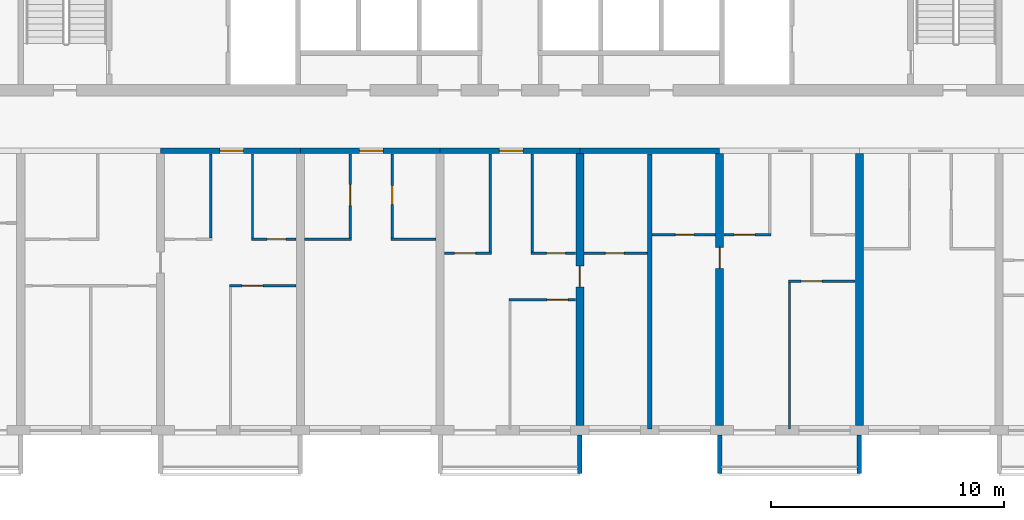
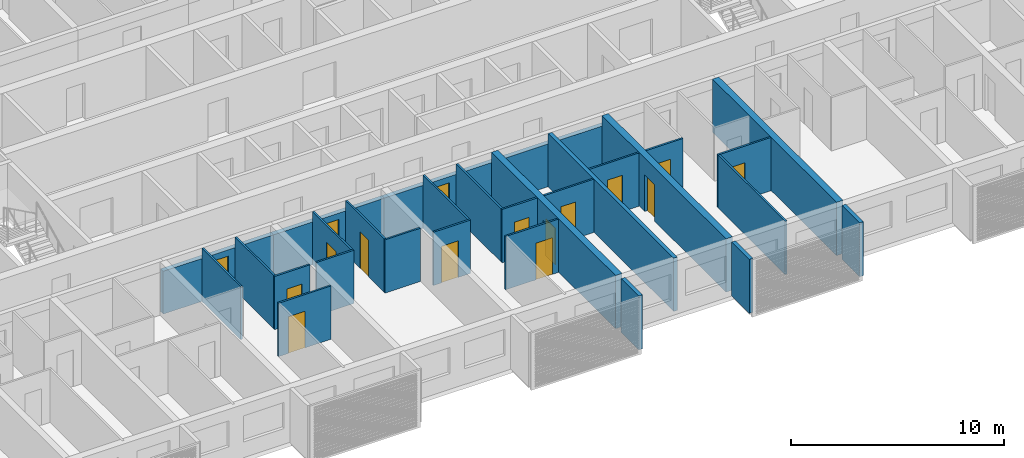
# One storey, part 6 of 28: 29 walls, 16 doors, 16 openings.
"""IFC4 building model written with IfcOpenShell, lengths in metres."""

from ifc_helpers import new_model, si_unit, direction, frame, frame_2d, origin, place, context, subcontext, project, spatial, polyline, rectangle, outline, extrude, source, transform, mapped, material, layer, layer_set, type_object, element, fill, save


model = new_model("IFC4")

# Units and contexts
model_context = context("Model", 3, precision=1e-05, world=origin(), true_north=direction((0.0, 1.0)))
body_context = subcontext(model_context, "Body", "Model", "MODEL_VIEW")
ifc_project = project(units=[si_unit("LENGTHUNIT", "METRE"), si_unit("AREAUNIT", "SQUARE_METRE"), si_unit("VOLUMEUNIT", "CUBIC_METRE"), si_unit("PLANEANGLEUNIT", "RADIAN"), si_unit("MASSUNIT", "GRAM", prefix="KILO")], contexts=[model_context])

# Site, building, storey
site_placement = place(None, origin())
site = spatial("IfcSite", under=ifc_project, at=site_placement, CompositionType="ELEMENT")
building_placement = place(site_placement, origin())
building = spatial("IfcBuilding", under=site, at=building_placement, Name="Poui Terraces", CompositionType="ELEMENT")
storey_placement = place(building_placement, frame((0.0, 0.0, 72.89990234375)))
storey = spatial("IfcBuildingStorey", under=building, at=storey_placement, Name="L19", CompositionType="ELEMENT", Elevation=72.89990234375)

# Wall, opening, door
ifc_material_1 = material(Name="Concrete 65 MPa", Category="concrete")
ifc_layer_1 = layer(ifc_material_1, 0.25)
ifc_layer_set_1 = layer_set([ifc_layer_1], Name="Concrete 65 MPa")
wall_type_1 = type_object("IfcWallType", Name="CORRIDOR WALL 250 65MPa", PredefinedType="SHEAR", material=ifc_layer_set_1)
wall_1_placement = place(storey_placement, frame((36.0, 12.0, 0.0), z_axis=(0.0, 0.0, 1.0), x_axis=(1.0, 0.0, 0.0)))
wall_1 = element("IfcWall", 1, at=wall_1_placement, inside=storey, type_object=wall_type_1, Name="CORRIDOR WALL LINE B BAY 6", PredefinedType="SHEAR", context=body_context, shape_type="SweptSolid", body=[
    extrude(rectangle(XDim=6.0, YDim=0.25, at=frame_2d((3.0, 0.0))), origin(), (0.0, 0.0, 1.0), 2.460205078125),
])
opening_1_placement = place(wall_1_placement, frame((2.550048828125, 0.0, 0.0)))
opening_1 = element("IfcOpeningElement", 2, at=opening_1_placement, cuts=wall_1, Name="Opening FD30S", PredefinedType="OPENING", context=body_context, shape_type="SweptSolid", body=[
    extrude(rectangle(XDim=1.0, YDim=2.10009765625, at=frame_2d((0.5, 1.050048828125))), frame((0.0, 0.135009765625, 0.0), z_axis=(0.0, -1.0, 0.0), x_axis=(1.0, 0.0, 0.0)), (0.0, 0.0, 1.0), 0.27001953125),
])
ifc_material_2 = material(Name="Steel fire door", Category="steel")
door_type_1 = type_object("IfcDoorType", Name="FLAT ENTRANCE DOOR 1000 X 2100", OperationType="NOTDEFINED", PredefinedType="DOOR", material=ifc_material_2)
door_1_placement = place(opening_1_placement, frame((1.0, 0.0, 0.0), z_axis=(0.0, 0.0, 1.0), x_axis=(-1.0, 0.0, 0.0)))
door_1 = element("IfcDoor", 3, at=door_1_placement, inside=storey, type_object=door_type_1, Name="FLAT ENTRANCE DOOR 101", OperationType="SINGLE_SWING_LEFT", OverallHeight=2.10009765625, OverallWidth=1.0, PredefinedType="DOOR", context=body_context, shape_type="SweptSolid", body=[
    extrude(rectangle(XDim=1.0, YDim=2.10009765625, at=frame_2d((0.5, 1.050048828125))), frame((0.0, 0.02490234375, 0.0), z_axis=(0.0, -1.0, 0.0), x_axis=(1.0, 0.0, 0.0)), (0.0, 0.0, 1.0), 0.050048828125),
])
fill(opening_1, door_1)

wall_2_placement = place(storey_placement, frame((42.0, 12.0, 0.0), z_axis=(0.0, 0.0, 1.0), x_axis=(1.0, 0.0, 0.0)))
wall_2 = element("IfcWall", 4, at=wall_2_placement, inside=storey, type_object=wall_type_1, Name="CORRIDOR WALL LINE B BAY 7", PredefinedType="SHEAR", context=body_context, shape_type="SweptSolid", body=[
    extrude(rectangle(XDim=6.0, YDim=0.25, at=frame_2d((3.0, 0.0))), origin(), (0.0, 0.0, 1.0), 2.460205078125),
])
opening_2_placement = place(wall_2_placement, frame((2.550048828125, 0.0, 0.0)))
opening_2 = element("IfcOpeningElement", 5, at=opening_2_placement, cuts=wall_2, Name="Opening FD30S", PredefinedType="OPENING", context=body_context, shape_type="SweptSolid", body=[
    extrude(rectangle(XDim=1.0, YDim=2.10009765625, at=frame_2d((0.5, 1.050048828125))), frame((0.0, 0.135009765625, 0.0), z_axis=(0.0, -1.0, 0.0), x_axis=(1.0, 0.0, 0.0)), (0.0, 0.0, 1.0), 0.27001953125),
])
door_2_placement = place(opening_2_placement, frame((1.0, 0.0, 0.0), z_axis=(0.0, 0.0, 1.0), x_axis=(-1.0, 0.0, 0.0)))
door_2 = element("IfcDoor", 6, at=door_2_placement, inside=storey, type_object=door_type_1, Name="FLAT ENTRANCE DOOR 105", OperationType="SINGLE_SWING_LEFT", OverallHeight=2.10009765625, OverallWidth=1.0, PredefinedType="DOOR", context=body_context, shape_type="SweptSolid", body=[
    extrude(rectangle(XDim=1.0, YDim=2.10009765625, at=frame_2d((0.5, 1.050048828125))), frame((0.0, 0.02490234375, 0.0), z_axis=(0.0, -1.0, 0.0), x_axis=(1.0, 0.0, 0.0)), (0.0, 0.0, 1.0), 0.050048828125),
])
fill(opening_2, door_2)

wall_3_placement = place(storey_placement, frame((48.0, 12.0, 0.0), z_axis=(0.0, 0.0, 1.0), x_axis=(1.0, 0.0, 0.0)))
wall_3 = element("IfcWall", 7, at=wall_3_placement, inside=storey, type_object=wall_type_1, Name="CORRIDOR WALL LINE B BAY 8", PredefinedType="SHEAR", context=body_context, shape_type="SweptSolid", body=[
    extrude(rectangle(XDim=6.0, YDim=0.25, at=frame_2d((3.0, 0.0))), origin(), (0.0, 0.0, 1.0), 2.460205078125),
])
opening_3_placement = place(wall_3_placement, frame((2.550048828125, 0.0, 0.0)))
opening_3 = element("IfcOpeningElement", 8, at=opening_3_placement, cuts=wall_3, Name="Opening FD30S", PredefinedType="OPENING", context=body_context, shape_type="SweptSolid", body=[
    extrude(rectangle(XDim=1.0, YDim=2.10009765625, at=frame_2d((0.5, 1.050048828125))), frame((0.0, 0.135009765625, 0.0), z_axis=(0.0, -1.0, 0.0), x_axis=(1.0, 0.0, 0.0)), (0.0, 0.0, 1.0), 0.27001953125),
])
door_3_placement = place(opening_3_placement, frame((1.0, 0.0, 0.0), z_axis=(0.0, 0.0, 1.0), x_axis=(-1.0, 0.0, 0.0)))
door_3 = element("IfcDoor", 9, at=door_3_placement, inside=storey, type_object=door_type_1, Name="FLAT ENTRANCE DOOR 109", OperationType="SINGLE_SWING_LEFT", OverallHeight=2.10009765625, OverallWidth=1.0, PredefinedType="DOOR", context=body_context, shape_type="SweptSolid", body=[
    extrude(rectangle(XDim=1.0, YDim=2.10009765625, at=frame_2d((0.5, 1.050048828125))), frame((0.0, 0.02490234375, 0.0), z_axis=(0.0, -1.0, 0.0), x_axis=(1.0, 0.0, 0.0)), (0.0, 0.0, 1.0), 0.050048828125),
])
fill(opening_3, door_3)

# Wall
wall_4_placement = place(storey_placement, frame((54.0, 12.0, 0.0), z_axis=(0.0, 0.0, 1.0), x_axis=(1.0, 0.0, 0.0)))
element("IfcWall", 10, at=wall_4_placement, inside=storey, type_object=wall_type_1, Name="CORRIDOR WALL LINE B BAY 9", PredefinedType="SHEAR", context=body_context, shape_type="SweptSolid", body=[
    extrude(rectangle(XDim=6.0, YDim=0.25, at=frame_2d((3.0, 0.0))), origin(), (0.0, 0.0, 1.0), 2.460205078125),
])

# Wall, opening, door
ifc_layer_2 = layer(ifc_material_1, 0.35009765625)
ifc_layer_set_2 = layer_set([ifc_layer_2], Name="Concrete 65 MPa")
wall_type_2 = type_object("IfcWallType", Name="CROSS WALL 350 65MPa", PredefinedType="SHEAR", material=ifc_layer_set_2)
wall_5_placement = place(storey_placement, frame((54.0, 0.199951171875, 0.0), z_axis=(0.0, 0.0, 1.0), x_axis=(0.0, 1.0, 0.0)))
wall_5 = element("IfcWall", 11, at=wall_5_placement, inside=storey, type_object=wall_type_2, Name="CROSS WALL LINE 10 SOUTH", PredefinedType="SHEAR", context=body_context, shape_type="SweptSolid", body=[
    extrude(rectangle(XDim=11.675048828125, YDim=0.35009765625, at=frame_2d((5.83740234375, 0.0))), origin(), (0.0, 0.0, 1.0), 3.06005859375),
])
opening_4_placement = place(wall_5_placement, frame((5.949951171875, 0.0, 0.0)))
opening_4 = element("IfcOpeningElement", 12, at=opening_4_placement, cuts=wall_5, Name="Opening D90", PredefinedType="OPENING", context=body_context, shape_type="SweptSolid", body=[
    extrude(rectangle(XDim=0.89990234375, YDim=2.10009765625, at=frame_2d((0.449951171875, 1.050048828125))), frame((0.0, 0.18505859375, 0.0), z_axis=(0.0, -1.0, 0.0), x_axis=(1.0, 0.0, 0.0)), (0.0, 0.0, 1.0), 0.3701171875),
])
ifc_material_3 = material(Name="Solid core timber door", Category="wood")
door_type_2 = type_object("IfcDoorType", Name="INTERNAL DOOR 900 X 2100", OperationType="NOTDEFINED", PredefinedType="DOOR", material=ifc_material_3)
door_4_placement = place(opening_4_placement, frame((0.89990234375, 0.0, 0.0), z_axis=(0.0, 0.0, 1.0), x_axis=(-1.0, 0.0, 0.0)))
door_4 = element("IfcDoor", 13, at=door_4_placement, inside=storey, type_object=door_type_2, Name="INTERNAL DOOR 112", OperationType="SINGLE_SWING_LEFT", OverallHeight=2.10009765625, OverallWidth=0.89990234375, PredefinedType="DOOR", context=body_context, shape_type="SweptSolid", body=[
    extrude(rectangle(XDim=0.89990234375, YDim=2.10009765625, at=frame_2d((0.449951171875, 1.050048828125))), frame((0.0, 0.02490234375, 0.0), z_axis=(0.0, -1.0, 0.0), x_axis=(1.0, 0.0, 0.0)), (0.0, 0.0, 1.0), 0.050048828125),
])
fill(opening_4, door_4)

wall_6_placement = place(storey_placement, frame((60.0, 0.199951171875, 0.0), z_axis=(0.0, 0.0, 1.0), x_axis=(0.0, 1.0, 0.0)))
wall_6 = element("IfcWall", 14, at=wall_6_placement, inside=storey, type_object=wall_type_2, Name="CROSS WALL LINE 11 SOUTH", PredefinedType="SHEAR", context=body_context, shape_type="SweptSolid", body=[
    extrude(rectangle(XDim=11.675048828125, YDim=0.35009765625, at=frame_2d((5.83740234375, 0.0))), origin(), (0.0, 0.0, 1.0), 3.06005859375),
])
opening_5_placement = place(wall_6_placement, frame((6.75, 0.0, 0.0)))
opening_5 = element("IfcOpeningElement", 15, at=opening_5_placement, cuts=wall_6, Name="Opening D90", PredefinedType="OPENING", context=body_context, shape_type="SweptSolid", body=[
    extrude(rectangle(XDim=0.89990234375, YDim=2.10009765625, at=frame_2d((0.449951171875, 1.050048828125))), frame((0.0, 0.18505859375, 0.0), z_axis=(0.0, -1.0, 0.0), x_axis=(1.0, 0.0, 0.0)), (0.0, 0.0, 1.0), 0.3701171875),
])
door_5_placement = place(opening_5_placement, origin())
door_5 = element("IfcDoor", 16, at=door_5_placement, inside=storey, type_object=door_type_2, Name="INTERNAL DOOR 114", OperationType="SINGLE_SWING_RIGHT", OverallHeight=2.10009765625, OverallWidth=0.89990234375, PredefinedType="DOOR", context=body_context, shape_type="SweptSolid", body=[
    extrude(rectangle(XDim=0.89990234375, YDim=2.10009765625, at=frame_2d((0.449951171875, 1.050048828125))), frame((0.0, 0.02490234375, 0.0), z_axis=(0.0, -1.0, 0.0), x_axis=(1.0, 0.0, 0.0)), (0.0, 0.0, 1.0), 0.050048828125),
])
fill(opening_5, door_5)

# Wall
wall_7_placement = place(storey_placement, frame((66.0, 0.199951171875, 0.0), z_axis=(0.0, 0.0, 1.0), x_axis=(0.0, 1.0, 0.0)))
element("IfcWall", 17, at=wall_7_placement, inside=storey, type_object=wall_type_2, Name="CROSS WALL LINE 12 SOUTH", PredefinedType="SHEAR", context=body_context, shape_type="SweptSolid", body=[
    extrude(rectangle(XDim=11.675048828125, YDim=0.35009765625, at=frame_2d((5.83740234375, 0.0))), origin(), (0.0, 0.0, 1.0), 3.06005859375),
])

# Wall, opening, door
ifc_material_4 = material(Name="Plasterboard partition")
ifc_layer_3 = layer(ifc_material_4, 0.10009765625)
ifc_layer_set_3 = layer_set([ifc_layer_3], Name="Plasterboard partition")
wall_type_3 = type_object("IfcWallType", Name="FLAT PARTITION 100", PredefinedType="PARTITIONING", material=ifc_layer_set_3)
wall_8_placement = place(storey_placement, frame((50.949951171875, 5.60009765625, 0.0), z_axis=(0.0, 0.0, 1.0), x_axis=(1.0, 0.0, 0.0)))
wall_8 = element("IfcWall", 18, at=wall_8_placement, inside=storey, type_object=wall_type_3, Name="FLAT PARTITION 100", PredefinedType="PARTITIONING", context=body_context, shape_type="SweptSolid", body=[
    extrude(rectangle(XDim=2.864990234375, YDim=0.10009765625, at=frame_2d((1.4326171875, 0.0))), origin(), (0.0, 0.0, 1.0), 3.06005859375),
])
opening_6_placement = place(wall_8_placement, frame((1.64990234375, 0.0, 0.0)))
opening_6 = element("IfcOpeningElement", 19, at=opening_6_placement, cuts=wall_8, Name="Opening D90", PredefinedType="OPENING", context=body_context, shape_type="SweptSolid", body=[
    extrude(rectangle(XDim=0.89990234375, YDim=2.10009765625, at=frame_2d((0.449951171875, 1.050048828125))), frame((0.0, 0.06005859375, 0.0), z_axis=(0.0, -1.0, 0.0), x_axis=(1.0, 0.0, 0.0)), (0.0, 0.0, 1.0), 0.1201171875),
])
door_6_placement = place(opening_6_placement, origin())
door_6 = element("IfcDoor", 20, at=door_6_placement, inside=storey, type_object=door_type_2, Name="INTERNAL DOOR 111", OperationType="SINGLE_SWING_LEFT", OverallHeight=2.10009765625, OverallWidth=0.89990234375, PredefinedType="DOOR", context=body_context, shape_type="SweptSolid", body=[
    extrude(rectangle(XDim=0.89990234375, YDim=2.10009765625, at=frame_2d((0.449951171875, 1.050048828125))), frame((0.0, 0.02490234375, 0.0), z_axis=(0.0, -1.0, 0.0), x_axis=(1.0, 0.0, 0.0)), (0.0, 0.0, 1.0), 0.050048828125),
])
fill(opening_6, door_6)

wall_9_placement = place(storey_placement, frame((38.949951171875, 6.199951171875, 0.0), z_axis=(0.0, 0.0, 1.0), x_axis=(1.0, 0.0, 0.0)))
wall_9 = element("IfcWall", 21, at=wall_9_placement, inside=storey, type_object=wall_type_3, Name="FLAT PARTITION 100", PredefinedType="PARTITIONING", context=body_context, shape_type="SweptSolid", body=[
    extrude(rectangle(XDim=2.864990234375, YDim=0.10009765625, at=frame_2d((1.4326171875, 0.0))), origin(), (0.0, 0.0, 1.0), 3.06005859375),
])
opening_7_placement = place(wall_9_placement, frame((0.550048828125, 0.0, 0.0)))
opening_7 = element("IfcOpeningElement", 22, at=opening_7_placement, cuts=wall_9, Name="Opening D90", PredefinedType="OPENING", context=body_context, shape_type="SweptSolid", body=[
    extrude(rectangle(XDim=0.89990234375, YDim=2.10009765625, at=frame_2d((0.449951171875, 1.050048828125))), frame((0.0, 0.06005859375, 0.0), z_axis=(0.0, -1.0, 0.0), x_axis=(1.0, 0.0, 0.0)), (0.0, 0.0, 1.0), 0.1201171875),
])
door_7_placement = place(opening_7_placement, origin())
door_7 = element("IfcDoor", 23, at=door_7_placement, inside=storey, type_object=door_type_2, Name="INTERNAL DOOR 102", OperationType="SINGLE_SWING_RIGHT", OverallHeight=2.10009765625, OverallWidth=0.89990234375, PredefinedType="DOOR", context=body_context, shape_type="SweptSolid", body=[
    extrude(rectangle(XDim=0.89990234375, YDim=2.10009765625, at=frame_2d((0.449951171875, 1.050048828125))), frame((0.0, 0.02490234375, 0.0), z_axis=(0.0, -1.0, 0.0), x_axis=(1.0, 0.0, 0.0)), (0.0, 0.0, 1.0), 0.050048828125),
])
fill(opening_7, door_7)

wall_10_placement = place(storey_placement, frame((62.949951171875, 6.39990234375, 0.0), z_axis=(0.0, 0.0, 1.0), x_axis=(1.0, 0.0, 0.0)))
wall_10 = element("IfcWall", 24, at=wall_10_placement, inside=storey, type_object=wall_type_3, Name="FLAT PARTITION 100", PredefinedType="PARTITIONING", context=body_context, shape_type="SweptSolid", body=[
    extrude(rectangle(XDim=2.864990234375, YDim=0.10009765625, at=frame_2d((1.4326171875, 0.0))), origin(), (0.0, 0.0, 1.0), 3.06005859375),
])
opening_8_placement = place(wall_10_placement, frame((0.550048828125, 0.0, 0.0)))
opening_8 = element("IfcOpeningElement", 25, at=opening_8_placement, cuts=wall_10, Name="Opening D90", PredefinedType="OPENING", context=body_context, shape_type="SweptSolid", body=[
    extrude(rectangle(XDim=0.89990234375, YDim=2.10009765625, at=frame_2d((0.449951171875, 1.050048828125))), frame((0.0, 0.06005859375, 0.0), z_axis=(0.0, -1.0, 0.0), x_axis=(1.0, 0.0, 0.0)), (0.0, 0.0, 1.0), 0.1201171875),
])
door_8_placement = place(opening_8_placement, origin())
door_8 = element("IfcDoor", 26, at=door_8_placement, inside=storey, type_object=door_type_2, Name="INTERNAL DOOR 117", OperationType="SINGLE_SWING_RIGHT", OverallHeight=2.10009765625, OverallWidth=0.89990234375, PredefinedType="DOOR", context=body_context, shape_type="SweptSolid", body=[
    extrude(rectangle(XDim=0.89990234375, YDim=2.10009765625, at=frame_2d((0.449951171875, 1.050048828125))), frame((0.0, 0.02490234375, 0.0), z_axis=(0.0, -1.0, 0.0), x_axis=(1.0, 0.0, 0.0)), (0.0, 0.0, 1.0), 0.050048828125),
])
fill(opening_8, door_8)

wall_11_placement = place(storey_placement, frame((48.18505859375, 7.60009765625, 0.0), z_axis=(0.0, 0.0, 1.0), x_axis=(1.0, 0.0, 0.0)))
wall_11 = element("IfcWall", 27, at=wall_11_placement, inside=storey, type_object=wall_type_3, Name="FLAT PARTITION 100", PredefinedType="PARTITIONING", context=body_context, shape_type="SweptSolid", body=[
    extrude(rectangle(XDim=2.014892578125, YDim=0.10009765625, at=frame_2d((1.00732421875, 0.0))), origin(), (0.0, 0.0, 1.0), 3.06005859375),
])
opening_9_placement = place(wall_11_placement, frame((0.43994140625, 0.0, 0.0)))
opening_9 = element("IfcOpeningElement", 28, at=opening_9_placement, cuts=wall_11, Name="Opening D90", PredefinedType="OPENING", context=body_context, shape_type="SweptSolid", body=[
    extrude(rectangle(XDim=0.89990234375, YDim=2.10009765625, at=frame_2d((0.449951171875, 1.050048828125))), frame((0.0, 0.06005859375, 0.0), z_axis=(0.0, -1.0, 0.0), x_axis=(1.0, 0.0, 0.0)), (0.0, 0.0, 1.0), 0.1201171875),
])
door_9_placement = place(opening_9_placement, origin())
door_9 = element("IfcDoor", 29, at=door_9_placement, inside=storey, type_object=door_type_2, Name="INTERNAL DOOR 108", OperationType="SINGLE_SWING_LEFT", OverallHeight=2.10009765625, OverallWidth=0.89990234375, PredefinedType="DOOR", context=body_context, shape_type="SweptSolid", body=[
    extrude(rectangle(XDim=0.89990234375, YDim=2.10009765625, at=frame_2d((0.449951171875, 1.050048828125))), frame((0.0, 0.02490234375, 0.0), z_axis=(0.0, -1.0, 0.0), x_axis=(1.0, 0.0, 0.0)), (0.0, 0.0, 1.0), 0.050048828125),
])
fill(opening_9, door_9)

wall_12_placement = place(storey_placement, frame((51.89990234375, 7.60009765625, 0.0), z_axis=(0.0, 0.0, 1.0), x_axis=(1.0, 0.0, 0.0)))
wall_12 = element("IfcWall", 30, at=wall_12_placement, inside=storey, type_object=wall_type_3, Name="FLAT PARTITION 100", PredefinedType="PARTITIONING", context=body_context, shape_type="SweptSolid", body=[
    extrude(rectangle(XDim=1.9150390625, YDim=0.10009765625, at=frame_2d((0.95751953125, 0.0))), origin(), (0.0, 0.0, 1.0), 3.06005859375),
])
opening_10_placement = place(wall_12_placement, frame((0.675048828125, 0.0, 0.0)))
opening_10 = element("IfcOpeningElement", 31, at=opening_10_placement, cuts=wall_12, Name="Opening D80", PredefinedType="OPENING", context=body_context, shape_type="SweptSolid", body=[
    extrude(rectangle(XDim=0.800048828125, YDim=2.10009765625, at=frame_2d((0.39990234375, 1.050048828125))), frame((0.0, 0.06005859375, 0.0), z_axis=(0.0, -1.0, 0.0), x_axis=(1.0, 0.0, 0.0)), (0.0, 0.0, 1.0), 0.1201171875),
])
door_type_3 = type_object("IfcDoorType", Name="BATHROOM, LAUNDRY AND STORE DOOR 800 X 2100", OperationType="NOTDEFINED", PredefinedType="DOOR", material=ifc_material_3)
door_10_placement = place(opening_10_placement, origin())
door_10 = element("IfcDoor", 32, at=door_10_placement, inside=storey, type_object=door_type_3, Name="BATHROOM, LAUNDRY AND STORE DOOR 110", OperationType="SINGLE_SWING_RIGHT", OverallHeight=2.10009765625, OverallWidth=0.800048828125, PredefinedType="DOOR", context=body_context, shape_type="SweptSolid", body=[
    extrude(rectangle(XDim=0.800048828125, YDim=2.10009765625, at=frame_2d((0.39990234375, 1.050048828125))), frame((0.0, 0.02490234375, 0.0), z_axis=(0.0, -1.0, 0.0), x_axis=(1.0, 0.0, 0.0)), (0.0, 0.0, 1.0), 0.050048828125),
])
fill(opening_10, door_10)

wall_13_placement = place(storey_placement, frame((54.18505859375, 7.60009765625, 0.0), z_axis=(0.0, 0.0, 1.0), x_axis=(1.0, 0.0, 0.0)))
wall_13 = element("IfcWall", 33, at=wall_13_placement, inside=storey, type_object=wall_type_3, Name="FLAT PARTITION 100", PredefinedType="PARTITIONING", context=body_context, shape_type="SweptSolid", body=[
    extrude(rectangle(XDim=2.71484375, YDim=0.10009765625, at=frame_2d((1.357421875, 0.0))), origin(), (0.0, 0.0, 1.0), 3.06005859375),
])
opening_11_placement = place(wall_13_placement, frame((0.9150390625, 0.0, 0.0)))
opening_11 = element("IfcOpeningElement", 34, at=opening_11_placement, cuts=wall_13, Name="Opening D80", PredefinedType="OPENING", context=body_context, shape_type="SweptSolid", body=[
    extrude(rectangle(XDim=0.800048828125, YDim=2.10009765625, at=frame_2d((0.39990234375, 1.050048828125))), frame((0.0, 0.06005859375, 0.0), z_axis=(0.0, -1.0, 0.0), x_axis=(1.0, 0.0, 0.0)), (0.0, 0.0, 1.0), 0.1201171875),
])
door_11_placement = place(opening_11_placement, origin())
door_11 = element("IfcDoor", 35, at=door_11_placement, inside=storey, type_object=door_type_3, Name="BATHROOM, LAUNDRY AND STORE DOOR 107", OperationType="SINGLE_SWING_LEFT", OverallHeight=2.10009765625, OverallWidth=0.800048828125, PredefinedType="DOOR", context=body_context, shape_type="SweptSolid", body=[
    extrude(rectangle(XDim=0.800048828125, YDim=2.10009765625, at=frame_2d((0.39990234375, 1.050048828125))), frame((0.0, 0.02490234375, 0.0), z_axis=(0.0, -1.0, 0.0), x_axis=(1.0, 0.0, 0.0)), (0.0, 0.0, 1.0), 0.050048828125),
])
fill(opening_11, door_11)

wall_14_placement = place(storey_placement, frame((39.89990234375, 8.199951171875, 0.0), z_axis=(0.0, 0.0, 1.0), x_axis=(1.0, 0.0, 0.0)))
wall_14 = element("IfcWall", 36, at=wall_14_placement, inside=storey, type_object=wall_type_3, Name="FLAT PARTITION 100", PredefinedType="PARTITIONING", context=body_context, shape_type="SweptSolid", body=[
    extrude(rectangle(XDim=1.9150390625, YDim=0.10009765625, at=frame_2d((0.95751953125, 0.0))), origin(), (0.0, 0.0, 1.0), 3.06005859375),
])
opening_12_placement = place(wall_14_placement, frame((0.675048828125, 0.0, 0.0)))
opening_12 = element("IfcOpeningElement", 37, at=opening_12_placement, cuts=wall_14, Name="Opening D80", PredefinedType="OPENING", context=body_context, shape_type="SweptSolid", body=[
    extrude(rectangle(XDim=0.800048828125, YDim=2.10009765625, at=frame_2d((0.39990234375, 1.050048828125))), frame((0.0, 0.06005859375, 0.0), z_axis=(0.0, -1.0, 0.0), x_axis=(1.0, 0.0, 0.0)), (0.0, 0.0, 1.0), 0.1201171875),
])
door_12_placement = place(opening_12_placement, origin())
door_12 = element("IfcDoor", 38, at=door_12_placement, inside=storey, type_object=door_type_3, Name="BATHROOM, LAUNDRY AND STORE DOOR 103", OperationType="SINGLE_SWING_LEFT", OverallHeight=2.10009765625, OverallWidth=0.800048828125, PredefinedType="DOOR", context=body_context, shape_type="SweptSolid", body=[
    extrude(rectangle(XDim=0.800048828125, YDim=2.10009765625, at=frame_2d((0.39990234375, 1.050048828125))), frame((0.0, 0.02490234375, 0.0), z_axis=(0.0, -1.0, 0.0), x_axis=(1.0, 0.0, 0.0)), (0.0, 0.0, 1.0), 0.050048828125),
])
fill(opening_12, door_12)

# Walls
wall_15_placement = place(storey_placement, frame((42.18505859375, 8.199951171875, 0.0), z_axis=(0.0, 0.0, 1.0), x_axis=(1.0, 0.0, 0.0)))
element("IfcWall", 39, at=wall_15_placement, inside=storey, type_object=wall_type_3, Name="FLAT PARTITION 100", PredefinedType="PARTITIONING", context=body_context, shape_type="SweptSolid", body=[
    extrude(rectangle(XDim=2.014892578125, YDim=0.10009765625, at=frame_2d((1.00732421875, 0.0))), origin(), (0.0, 0.0, 1.0), 3.06005859375),
])
wall_16_placement = place(storey_placement, frame((45.89990234375, 8.199951171875, 0.0), z_axis=(0.0, 0.0, 1.0), x_axis=(1.0, 0.0, 0.0)))
element("IfcWall", 40, at=wall_16_placement, inside=storey, type_object=wall_type_3, Name="FLAT PARTITION 100", PredefinedType="PARTITIONING", context=body_context, shape_type="SweptSolid", body=[
    extrude(rectangle(XDim=1.9150390625, YDim=0.10009765625, at=frame_2d((0.95751953125, 0.0))), origin(), (0.0, 0.0, 1.0), 3.06005859375),
])

# Wall, opening, door
wall_17_placement = place(storey_placement, frame((57.10009765625, 8.39990234375, 0.0), z_axis=(0.0, 0.0, 1.0), x_axis=(1.0, 0.0, 0.0)))
wall_17 = element("IfcWall", 41, at=wall_17_placement, inside=storey, type_object=wall_type_3, Name="FLAT PARTITION 100", PredefinedType="PARTITIONING", context=body_context, shape_type="SweptSolid", body=[
    extrude(rectangle(XDim=2.71484375, YDim=0.10009765625, at=frame_2d((1.357421875, 0.0))), origin(), (0.0, 0.0, 1.0), 3.06005859375),
])
opening_13_placement = place(wall_17_placement, frame((1.0, 0.0, 0.0)))
opening_13 = element("IfcOpeningElement", 42, at=opening_13_placement, cuts=wall_17, Name="Opening D80", PredefinedType="OPENING", context=body_context, shape_type="SweptSolid", body=[
    extrude(rectangle(XDim=0.800048828125, YDim=2.10009765625, at=frame_2d((0.39990234375, 1.050048828125))), frame((0.0, 0.06005859375, 0.0), z_axis=(0.0, -1.0, 0.0), x_axis=(1.0, 0.0, 0.0)), (0.0, 0.0, 1.0), 0.1201171875),
])
door_13_placement = place(opening_13_placement, origin())
door_13 = element("IfcDoor", 43, at=door_13_placement, inside=storey, type_object=door_type_3, Name="BATHROOM, LAUNDRY AND STORE DOOR 113", OperationType="SINGLE_SWING_RIGHT", OverallHeight=2.10009765625, OverallWidth=0.800048828125, PredefinedType="DOOR", context=body_context, shape_type="SweptSolid", body=[
    extrude(rectangle(XDim=0.800048828125, YDim=2.10009765625, at=frame_2d((0.39990234375, 1.050048828125))), frame((0.0, 0.02490234375, 0.0), z_axis=(0.0, -1.0, 0.0), x_axis=(1.0, 0.0, 0.0)), (0.0, 0.0, 1.0), 0.050048828125),
])
fill(opening_13, door_13)

wall_18_placement = place(storey_placement, frame((60.18505859375, 8.39990234375, 0.0), z_axis=(0.0, 0.0, 1.0), x_axis=(1.0, 0.0, 0.0)))
wall_18 = element("IfcWall", 44, at=wall_18_placement, inside=storey, type_object=wall_type_3, Name="FLAT PARTITION 100", PredefinedType="PARTITIONING", context=body_context, shape_type="SweptSolid", body=[
    extrude(rectangle(XDim=2.014892578125, YDim=0.10009765625, at=frame_2d((1.00732421875, 0.0))), origin(), (0.0, 0.0, 1.0), 3.06005859375),
])
opening_14_placement = place(wall_18_placement, frame((0.43994140625, 0.0, 0.0)))
opening_14 = element("IfcOpeningElement", 45, at=opening_14_placement, cuts=wall_18, Name="Opening D90", PredefinedType="OPENING", context=body_context, shape_type="SweptSolid", body=[
    extrude(rectangle(XDim=0.89990234375, YDim=2.10009765625, at=frame_2d((0.449951171875, 1.050048828125))), frame((0.0, 0.06005859375, 0.0), z_axis=(0.0, -1.0, 0.0), x_axis=(1.0, 0.0, 0.0)), (0.0, 0.0, 1.0), 0.1201171875),
])
door_14_placement = place(opening_14_placement, origin())
door_14 = element("IfcDoor", 46, at=door_14_placement, inside=storey, type_object=door_type_2, Name="INTERNAL DOOR 115", OperationType="SINGLE_SWING_RIGHT", OverallHeight=2.10009765625, OverallWidth=0.89990234375, PredefinedType="DOOR", context=body_context, shape_type="SweptSolid", body=[
    extrude(rectangle(XDim=0.89990234375, YDim=2.10009765625, at=frame_2d((0.449951171875, 1.050048828125))), frame((0.0, 0.02490234375, 0.0), z_axis=(0.0, -1.0, 0.0), x_axis=(1.0, 0.0, 0.0)), (0.0, 0.0, 1.0), 0.050048828125),
])
fill(opening_14, door_14)

# Walls
for number, where, z_axis, x_axis, name in (
    (47, (38.14990234375, 8.25, 0.0), (0.0, 0.0, 1.0), (0.0, 1.0, 0.0), "FLAT PARTITION 100"),
    (48, (39.949951171875, 8.25, 0.0), (0.0, 0.0, 1.0), (0.0, 1.0, 0.0), "FLAT PARTITION 100"),
):
    element("IfcWall", number, at=place(storey_placement, frame(where, z_axis=z_axis, x_axis=x_axis)), inside=storey, type_object=wall_type_3, Name=name, PredefinedType="PARTITIONING", context=body_context, shape_type="SweptSolid", body=[
        extrude(rectangle(XDim=3.614990234375, YDim=0.10009765625, at=frame_2d((1.8076171875, 0.0))), origin(), (0.0, 0.0, 1.0), 3.06005859375),
    ])

# Wall, opening, door
wall_19_placement = place(storey_placement, frame((44.14990234375, 8.25, 0.0), z_axis=(0.0, 0.0, 1.0), x_axis=(0.0, 1.0, 0.0)))
wall_19 = element("IfcWall", 49, at=wall_19_placement, inside=storey, type_object=wall_type_3, Name="FLAT PARTITION 100", PredefinedType="PARTITIONING", context=body_context, shape_type="SweptSolid", body=[
    extrude(rectangle(XDim=3.614990234375, YDim=0.10009765625, at=frame_2d((1.8076171875, 0.0))), origin(), (0.0, 0.0, 1.0), 3.06005859375),
])
opening_15_placement = place(wall_19_placement, frame((1.39990234375, 0.0, 0.0)))
opening_15 = element("IfcOpeningElement", 50, at=opening_15_placement, cuts=wall_19, Name="Opening D90", PredefinedType="OPENING", context=body_context, shape_type="SweptSolid", body=[
    extrude(rectangle(XDim=0.89990234375, YDim=2.10009765625, at=frame_2d((0.449951171875, 1.050048828125))), frame((0.0, 0.06005859375, 0.0), z_axis=(0.0, -1.0, 0.0), x_axis=(1.0, 0.0, 0.0)), (0.0, 0.0, 1.0), 0.1201171875),
])
door_15_placement = place(opening_15_placement, origin())
door_15 = element("IfcDoor", 51, at=door_15_placement, inside=storey, type_object=door_type_2, Name="INTERNAL DOOR 104", OperationType="SINGLE_SWING_LEFT", OverallHeight=2.10009765625, OverallWidth=0.89990234375, PredefinedType="DOOR", context=body_context, shape_type="SweptSolid", body=[
    extrude(rectangle(XDim=0.89990234375, YDim=2.10009765625, at=frame_2d((0.449951171875, 1.050048828125))), frame((0.0, 0.02490234375, 0.0), z_axis=(0.0, -1.0, 0.0), x_axis=(1.0, 0.0, 0.0)), (0.0, 0.0, 1.0), 0.050048828125),
])
fill(opening_15, door_15)

wall_20_placement = place(storey_placement, frame((45.949951171875, 8.25, 0.0), z_axis=(0.0, 0.0, 1.0), x_axis=(0.0, 1.0, 0.0)))
wall_20 = element("IfcWall", 52, at=wall_20_placement, inside=storey, type_object=wall_type_3, Name="FLAT PARTITION 100", PredefinedType="PARTITIONING", context=body_context, shape_type="SweptSolid", body=[
    extrude(rectangle(XDim=3.614990234375, YDim=0.10009765625, at=frame_2d((1.8076171875, 0.0))), origin(), (0.0, 0.0, 1.0), 3.06005859375),
])
opening_16_placement = place(wall_20_placement, frame((1.449951171875, 0.0, 0.0)))
opening_16 = element("IfcOpeningElement", 53, at=opening_16_placement, cuts=wall_20, Name="Opening D80", PredefinedType="OPENING", context=body_context, shape_type="SweptSolid", body=[
    extrude(rectangle(XDim=0.800048828125, YDim=2.10009765625, at=frame_2d((0.39990234375, 1.050048828125))), frame((0.0, 0.06005859375, 0.0), z_axis=(0.0, -1.0, 0.0), x_axis=(1.0, 0.0, 0.0)), (0.0, 0.0, 1.0), 0.1201171875),
])
door_16_placement = place(opening_16_placement, frame((0.800048828125, 0.0, 0.0), z_axis=(0.0, 0.0, 1.0), x_axis=(-1.0, 0.0, 0.0)))
door_16 = element("IfcDoor", 54, at=door_16_placement, inside=storey, type_object=door_type_3, Name="BATHROOM, LAUNDRY AND STORE DOOR 106", OperationType="SINGLE_SWING_LEFT", OverallHeight=2.10009765625, OverallWidth=0.800048828125, PredefinedType="DOOR", context=body_context, shape_type="SweptSolid", body=[
    extrude(rectangle(XDim=0.800048828125, YDim=2.10009765625, at=frame_2d((0.39990234375, 1.050048828125))), frame((0.0, 0.02490234375, 0.0), z_axis=(0.0, -1.0, 0.0), x_axis=(1.0, 0.0, 0.0)), (0.0, 0.0, 1.0), 0.050048828125),
])
fill(opening_16, door_16)

# Walls
for number, where, z_axis, x_axis, name in (
    (55, (50.14990234375, 7.64990234375, 0.0), (0.0, 0.0, 1.0), (0.0, 1.0, 0.0), "FLAT PARTITION 100"),
    (56, (51.949951171875, 7.64990234375, 0.0), (0.0, 0.0, 1.0), (0.0, 1.0, 0.0), "FLAT PARTITION 100"),
):
    element("IfcWall", number, at=place(storey_placement, frame(where, z_axis=z_axis, x_axis=x_axis)), inside=storey, type_object=wall_type_3, Name=name, PredefinedType="PARTITIONING", context=body_context, shape_type="SweptSolid", body=[
        extrude(rectangle(XDim=4.215087890625, YDim=0.10009765625, at=frame_2d((2.107421875, 0.0))), origin(), (0.0, 0.0, 1.0), 3.06005859375),
    ])
wall_21_placement = place(storey_placement, frame((63.0, 0.06005859375, 0.0), z_axis=(0.0, 0.0, 1.0), x_axis=(0.0, 1.0, 0.0)))
element("IfcWall", 57, at=wall_21_placement, inside=storey, type_object=wall_type_3, Name="FLAT PARTITION 100", PredefinedType="PARTITIONING", context=body_context, shape_type="SweptSolid", body=[
    extrude(rectangle(XDim=6.2900390625, YDim=0.10009765625, at=frame_2d((3.14501953125, 0.0))), origin(), (0.0, 0.0, 1.0), 3.06005859375),
])
ifc_material_5 = material(Name="Fire-rated masonry wall", Category="masonry")
ifc_layer_4 = layer(ifc_material_5, 0.199951171875)
ifc_layer_set_4 = layer_set([ifc_layer_4], Name="Fire-rated masonry wall")
wall_type_4 = type_object("IfcWallType", Name="FLAT PARTY WALL 200", PredefinedType="PARTITIONING", material=ifc_layer_set_4)
wall_22_placement = place(storey_placement, frame((57.0, 0.06005859375, 0.0), z_axis=(0.0, 0.0, 1.0), x_axis=(0.0, 1.0, 0.0)))
element("IfcWall", 58, at=wall_22_placement, inside=storey, type_object=wall_type_4, Name="FLAT PARTY WALL 200", PredefinedType="PARTITIONING", context=body_context, shape_type="SweptSolid", body=[
    extrude(rectangle(XDim=11.804931640625, YDim=0.199951171875, at=frame_2d((5.90234375, 0.0))), origin(), (0.0, 0.0, 1.0), 3.06005859375),
])
ifc_material_6 = material(Name="Precast concrete 40 MPa", Category="concrete")
ifc_layer_5 = layer(ifc_material_6, 0.199951171875)
ifc_layer_set_5 = layer_set([ifc_layer_5], Name="Precast concrete 40 MPa")
wall_type_5 = type_object("IfcWallType", Name="REAR FIN 200", PredefinedType="STANDARD", material=ifc_layer_set_5)
shared_shape = source(origin(), body_context, "Body", "SweptSolid", [
    extrude(outline(polyline([(0.0, 0.0), (0.2001953125, 0.0), (0.2001953125, 1.650146484375), (0.0, 1.650146484375), (0.0, 0.0)])), origin(), (0.0, 0.0, 1.0), 3.10009765625),
])
for number, where, name in (
    (59, (53.89990234375, -1.85009765625, 0.0), "REAR FIN"),
    (60, (59.89990234375, -1.85009765625, 0.0), "REAR FIN"),
    (61, (65.89990234375, -1.85009765625, 0.0), "REAR FIN"),
):
    element("IfcWall", number, at=place(storey_placement, frame(where)), inside=storey, type_object=wall_type_5, Name=name, PredefinedType="STANDARD", context=body_context, shape_type="MappedRepresentation", body=[
        mapped(shared_shape, transform((0.0, 0.0, 0.0))),
    ])

save(model, "model.ifc")
